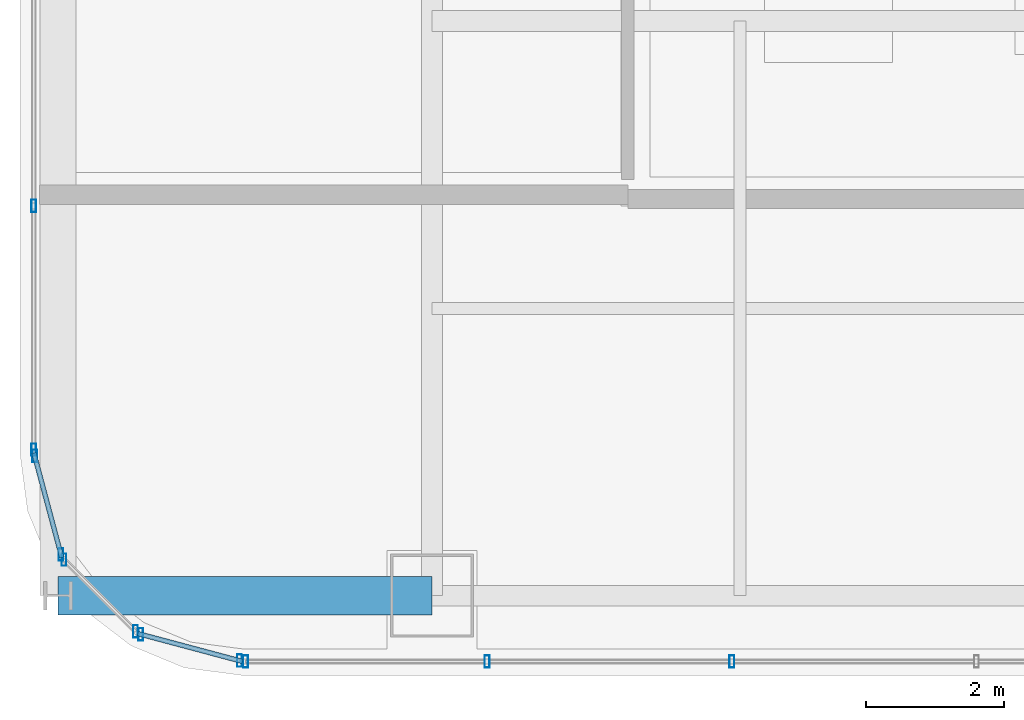
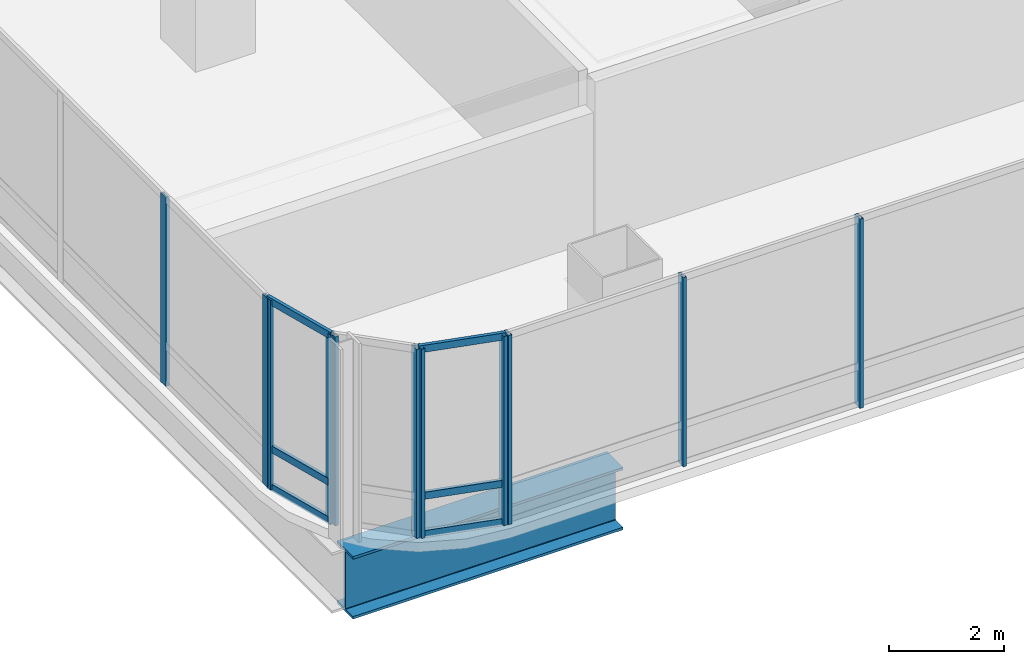
# One storey, part 2 of 42: 17 members, 1 beam, 5 elements without a shape of their own.
"""IFC4 building model written with IfcOpenShell, lengths in metres."""

import ifcopenshell
import ifcopenshell.guid

model = None  # the IFC model being written
_history = None  # IfcOwnerHistory: only IFC2X3 demands one
_inside = {}  # id of a spatial element -> (the spatial element, [elements in it])
_under = {}  # id of a project, library or spatial element -> (it, [spatial elements below it])
_declared = {}  # id of a project -> (the project, [libraries it declares])
_typed = {}  # id of a type object -> (the type object, [elements of that type])
_made_of = {}  # id of a material, layer set ... -> (it, [elements and type objects made of it])


def new_model(schema):
    """Start an empty IFC model of exactly this schema.

    Asked for "IFC4X3", IfcOpenShell would pick the latest addendum, in which some entities
    have other attributes; the version numbers below select the first issue.
    IFC2X3 requires an IfcOwnerHistory on every rooted entity: one is made here for all.
    """
    global model, _history
    if schema == "IFC4X3":
        model = ifcopenshell.file(schema_version=(4, 3, 0, 0))
    else:
        model = ifcopenshell.file(schema=schema)
    _inside.clear()
    _under.clear()
    _declared.clear()
    _typed.clear()
    _made_of.clear()
    _history = None
    if model.schema == "IFC2X3":
        org = make("IfcOrganization", Name="unknown")
        user = make(
            "IfcPersonAndOrganization",
            ThePerson=make("IfcPerson", FamilyName="unknown"),
            TheOrganization=org,
        )
        app = make(
            "IfcApplication",
            ApplicationDeveloper=org,
            Version="unknown",
            ApplicationFullName="unknown",
            ApplicationIdentifier="unknown",
        )
        _history = make(
            "IfcOwnerHistory",
            OwningUser=user,
            OwningApplication=app,
            ChangeAction="ADDED",
            CreationDate=0,
        )
    return model


def make(cls, **values):
    """One entity of the class cls with the attributes given. An attribute that is None is left unset."""
    return model.create_entity(
        cls, **{name: value for name, value in values.items() if value is not None}
    )


def rooted(cls, **values):
    """An entity with a GlobalId (a new one), such as an element, a storey or a relation."""
    return make(cls, GlobalId=ifcopenshell.guid.new(), OwnerHistory=_history, **values)


def si_unit(unit_type, name, prefix=None):
    """IfcSIUnit, for example si_unit("LENGTHUNIT", "METRE", prefix="MILLI")."""
    return make("IfcSIUnit", UnitType=unit_type, Prefix=prefix, Name=name)


def assignment(units):
    """IfcUnitAssignment: the units of a project."""
    return None if units is None else make("IfcUnitAssignment", Units=units)


def point(xyz):
    """IfcCartesianPoint."""
    return None if xyz is None else make("IfcCartesianPoint", Coordinates=xyz)


def direction(xyz):
    """IfcDirection."""
    return None if xyz is None else make("IfcDirection", DirectionRatios=xyz)


def frame(location, z_axis=None, x_axis=None):
    """IfcAxis2Placement3D, a coordinate frame: its origin and axes. An axis left out is left unset."""
    return make(
        "IfcAxis2Placement3D",
        Location=point(location),
        Axis=direction(z_axis),
        RefDirection=direction(x_axis),
    )


def frame_2d(location, x_axis=None):
    """IfcAxis2Placement2D, a coordinate frame in the plane: its origin and x axis."""
    return make(
        "IfcAxis2Placement2D", Location=point(location), RefDirection=direction(x_axis)
    )


def origin():
    """The frame at (0, 0, 0) with its axes left unset."""
    return frame((0.0, 0.0, 0.0))


def origin_2d():
    """The frame at (0, 0) in the plane with its x axis left unset."""
    return frame_2d((0.0, 0.0))


def place(relative_to, where):
    """IfcLocalPlacement: puts the frame where relative to a parent placement (None: the world)."""
    return make(
        "IfcLocalPlacement", PlacementRelTo=relative_to, RelativePlacement=where
    )


def context(
    kind, dimensions, precision=None, world=None, true_north=None, identifier=None
):
    """IfcGeometricRepresentationContext, for example the 3D "Model" context."""
    return make(
        "IfcGeometricRepresentationContext",
        ContextIdentifier=identifier,
        ContextType=kind,
        CoordinateSpaceDimension=dimensions,
        Precision=precision,
        WorldCoordinateSystem=world,
        TrueNorth=true_north,
    )


def subcontext(parent, identifier, kind, view, scale=None):
    """IfcGeometricRepresentationSubContext, for example "Body" below "Model"."""
    return make(
        "IfcGeometricRepresentationSubContext",
        ContextIdentifier=identifier,
        ContextType=kind,
        ParentContext=parent,
        TargetScale=scale,
        TargetView=view,
    )


def project(units=None, contexts=None):
    """IfcProject with its units and contexts."""
    return rooted(
        "IfcProject",
        Name="project",
        RepresentationContexts=contexts,
        UnitsInContext=assignment(units),
    )


def spatial(cls, under=None, at=None, **own):
    """A site, building, storey or space (cls), placed at a placement, below another one or the project."""
    s = rooted(cls, ObjectPlacement=at, **own)
    if under is not None:
        _under.setdefault(under.id(), (under, []))[1].append(s)
    return s


def profile(cls, at=None, kind="AREA", **sizes):
    """A parametric profile (cls). Its sizes go by their IFC names, for example OverallWidth=200.0."""
    return make(cls, ProfileType=kind, Position=at, **sizes)


def hollow_rectangle(**sizes):
    """IfcRectangleHollowProfileDef."""
    return profile("IfcRectangleHollowProfileDef", **sizes)


def i_section(**sizes):
    """IfcIShapeProfileDef."""
    return profile("IfcIShapeProfileDef", **sizes)


def extrude(swept, where, along, depth):
    """IfcExtrudedAreaSolid: the profile swept, set in the frame where, extruded along a direction by depth."""
    return make(
        "IfcExtrudedAreaSolid",
        SweptArea=swept,
        Position=where,
        ExtrudedDirection=direction(along),
        Depth=depth,
    )


def shape(context_of_items, identifier, shape_type, items):
    """IfcShapeRepresentation: the items that make up one representation, for example the "Body"."""
    return make(
        "IfcShapeRepresentation",
        ContextOfItems=context_of_items,
        RepresentationIdentifier=identifier,
        RepresentationType=shape_type,
        Items=items,
    )


def material(Name=None, Category=None):
    """IfcMaterial."""
    return make("IfcMaterial", Name=Name, Category=Category)


def material_profile(
    of_material, cross_section, Name=None, Category=None, Priority=None
):
    """IfcMaterialProfile: a cross section and its material."""
    return make(
        "IfcMaterialProfile",
        Name=Name,
        Material=of_material,
        Profile=cross_section,
        Priority=Priority,
        Category=Category,
    )


def profile_set(profiles, Name=None, composite=None):
    """IfcMaterialProfileSet."""
    return make(
        "IfcMaterialProfileSet",
        Name=Name,
        MaterialProfiles=profiles,
        CompositeProfile=composite,
    )


def made_of(thing, what):
    """Note that an element or type object is made of a material, layer set ...; save() writes the relation."""
    if what is not None:
        _made_of.setdefault(what.id(), (what, []))[1].append(thing)
    return thing


def type_object(cls, material=None, **own):
    """A type object (cls), such as IfcWallType, which elements share."""
    return made_of(rooted(cls, **own), material)


def element(
    cls,
    number,
    at=None,
    inside=None,
    cuts=None,
    type_object=None,
    material=None,
    context=None,
    identifier="Body",
    shape_type=None,
    held_by="IfcProductDefinitionShape",
    body=None,
    shapes=None,
    **own,
):
    """One element of the class cls, such as IfcWall. Its Tag is "e" and its number.

    at: its placement. inside: the storey or other place that contains it. cuts: it is an
    opening in that element (IfcRelVoidsElement). A single representation is given by context,
    identifier, shape_type and body (its items); several are given by shapes. held_by: the class
    of the entity that holds the representations. save() writes the other relations.
    """
    e = rooted(cls, Tag="e%d" % number, ObjectPlacement=at, **own)
    if body is not None:
        shapes = [shape(context, identifier, shape_type, body)]
    if shapes is not None:
        e.Representation = make(held_by, Representations=shapes)
    if inside is not None:
        _inside.setdefault(inside.id(), (inside, []))[1].append(e)
    if cuts is not None:
        rooted(
            "IfcRelVoidsElement", RelatingBuildingElement=cuts, RelatedOpeningElement=e
        )
    if type_object is not None:
        _typed.setdefault(type_object.id(), (type_object, []))[1].append(e)
    return made_of(e, material)


def aggregate(whole, parts):
    """IfcRelAggregates: a whole, such as a stair, and the parts it consists of."""
    return rooted("IfcRelAggregates", RelatingObject=whole, RelatedObjects=parts)


def save(model, path):
    """Write the relations noted so far, then the file.

    IfcRelAggregates (storeys below a building ...), IfcRelContainedInSpatialStructure (elements
    in a storey), IfcRelDefinesByType, IfcRelAssociatesMaterial and IfcRelDeclares: one each for
    every whole, place, type object, material and project.
    """
    for whole, parts in _under.values():
        aggregate(whole, parts)
    for where, things in _inside.values():
        rooted(
            "IfcRelContainedInSpatialStructure",
            RelatedElements=things,
            RelatingStructure=where,
        )
    for kind, things in _typed.values():
        rooted("IfcRelDefinesByType", RelatedObjects=things, RelatingType=kind)
    for what, things in _made_of.values():
        rooted("IfcRelAssociatesMaterial", RelatedObjects=things, RelatingMaterial=what)
    for by, libraries in _declared.values():
        rooted("IfcRelDeclares", RelatingContext=by, RelatedDefinitions=libraries)
    model.write(path)


model = new_model("IFC4")

# Units and contexts
model_context = context("Model", 3, precision=1e-05, world=origin(), true_north=direction((0.0, 1.0)))
body_context = subcontext(model_context, "Body", "Model", "MODEL_VIEW")
ifc_project = project(units=[si_unit("LENGTHUNIT", "METRE"), si_unit("AREAUNIT", "SQUARE_METRE"), si_unit("VOLUMEUNIT", "CUBIC_METRE"), si_unit("PLANEANGLEUNIT", "RADIAN"), si_unit("MASSUNIT", "GRAM", prefix="KILO")], contexts=[model_context])

# Site, building, storey
site_placement = place(None, origin())
site = spatial("IfcSite", under=ifc_project, at=site_placement, CompositionType="ELEMENT")
building_placement = place(site_placement, origin())
building = spatial("IfcBuilding", under=site, at=building_placement, Name="Punatoya Terracotta Tower", CompositionType="ELEMENT")
storey_placement = place(building_placement, frame((0.0, 0.0, 304.800048828125)))
storey = spatial("IfcBuildingStorey", under=building, at=storey_placement, Name="L72", CompositionType="ELEMENT", Elevation=304.800048828125)

# Beam
ifc_material_1 = material(Name="Steel S460", Category="steel")
ifc_material_profile_1 = material_profile(ifc_material_1, i_section(OverallWidth=0.56005859375, OverallDepth=1.320068359375, WebThickness=0.035888671875, FlangeThickness=0.054931640625, FilletRadius=0.01806640625, at=origin_2d()))
ifc_profile_set_1 = profile_set([ifc_material_profile_1], Name="Steel S460")
beam_type = type_object("IfcBeamType", Name="BM-TG-BLK", PredefinedType="BEAM", material=ifc_profile_set_1)
beam_placement = place(storey_placement, frame((-24.5, -17.5, -0.860107421875), z_axis=(1.0, 0.0, 0.0), x_axis=(0.0, 1.0, 0.0)))
element("IfcBeam", 1, at=beam_placement, inside=storey, type_object=beam_type, Name="BM-L72-CANT-W1", PredefinedType="BEAM", context=body_context, shape_type="SweptSolid", body=[
    extrude(i_section(OverallWidth=0.56005859375, OverallDepth=1.320068359375, WebThickness=0.035888671875, FlangeThickness=0.054931640625, FilletRadius=0.01806640625, at=origin_2d()), origin(), (0.0, 0.0, 1.0), 5.39990234375),
])

# Curtain wall, members
ifc_material_2 = material(Name="Aluminium 6063-T6 + Double Low-E Glass", Category="aluminium")
curtain_wall_type = type_object("IfcCurtainWallType", Name="CW-M3", PredefinedType="NOTDEFINED", material=ifc_material_2)
curtain_wall_1_placement = place(storey_placement, origin())
curtain_wall_1 = element("IfcCurtainWall", 2, at=curtain_wall_1_placement, inside=storey, type_object=curtain_wall_type, Name="L72 Curtain Wall CW-L72-S01-1", PredefinedType="NOTDEFINED")
ifc_material_3 = material(Name="Aluminium 6063-T6", Category="aluminium")
ifc_material_profile_2 = material_profile(ifc_material_3, hollow_rectangle(XDim=0.070068359375, YDim=0.179931640625, WallThickness=0.00390625, at=origin_2d()))
ifc_profile_set_2 = profile_set([ifc_material_profile_2], Name="Aluminium 6063-T6")
member_type_1 = type_object("IfcMemberType", Name="CW-MUL-M3", PredefinedType="MULLION", material=ifc_profile_set_2)
member_1_placement = place(storey_placement, frame((-21.7919921875, -18.449951171875, 0.0), z_axis=(0.0, 0.0, 1.0), x_axis=(1.0, 0.0, 0.0)))
member_1 = element("IfcMember", 3, at=member_1_placement, type_object=member_type_1, Name="CW-L72-S01-1 Mullion 00", PredefinedType="MULLION", context=body_context, shape_type="SweptSolid", body=[
    extrude(hollow_rectangle(XDim=0.070068359375, YDim=0.179931640625, WallThickness=0.00390625, at=origin_2d()), origin(), (0.0, 0.0, 1.0), 4.0),
])
member_2_placement = place(storey_placement, frame((-18.302978515625, -18.449951171875, 0.0), z_axis=(0.0, 0.0, 1.0), x_axis=(1.0, 0.0, 0.0)))
member_2 = element("IfcMember", 4, at=member_2_placement, type_object=member_type_1, Name="CW-L72-S01-1 Mullion 01", PredefinedType="MULLION", context=body_context, shape_type="SweptSolid", body=[
    extrude(hollow_rectangle(XDim=0.070068359375, YDim=0.179931640625, WallThickness=0.00390625, at=origin_2d()), origin(), (0.0, 0.0, 1.0), 4.0),
])
member_3_placement = place(storey_placement, frame((-14.768798828125, -18.449951171875, 0.0), z_axis=(0.0, 0.0, 1.0), x_axis=(1.0, 0.0, 0.0)))
member_3 = element("IfcMember", 5, at=member_3_placement, type_object=member_type_1, Name="CW-L72-S01-1 Mullion 02", PredefinedType="MULLION", context=body_context, shape_type="SweptSolid", body=[
    extrude(hollow_rectangle(XDim=0.070068359375, YDim=0.179931640625, WallThickness=0.00390625, at=origin_2d()), origin(), (0.0, 0.0, 1.0), 4.0),
])
aggregate(curtain_wall_1, [member_1, member_2, member_3])

curtain_wall_2_placement = place(storey_placement, origin())
curtain_wall_2 = element("IfcCurtainWall", 6, at=curtain_wall_2_placement, inside=storey, type_object=curtain_wall_type, Name="L72 Curtain Wall CW-L72-W13-1", PredefinedType="NOTDEFINED")
member_4_placement = place(storey_placement, frame((-24.85009765625, -11.869384765625, 0.0), z_axis=(0.0, 0.0, 1.0), x_axis=(1.0, 0.0, 0.0)))
member_4 = element("IfcMember", 7, at=member_4_placement, type_object=member_type_1, Name="CW-L72-W13-1 Mullion 09", PredefinedType="MULLION", context=body_context, shape_type="SweptSolid", body=[
    extrude(hollow_rectangle(XDim=0.070068359375, YDim=0.179931640625, WallThickness=0.00390625, at=origin_2d()), origin(), (0.0, 0.0, 1.0), 4.0),
])
member_5_placement = place(storey_placement, frame((-24.85009765625, -15.391845703125, 0.0), z_axis=(0.0, 0.0, 1.0), x_axis=(1.0, 0.0, 0.0)))
member_5 = element("IfcMember", 8, at=member_5_placement, type_object=member_type_1, Name="CW-L72-W13-1 Mullion 10", PredefinedType="MULLION", context=body_context, shape_type="SweptSolid", body=[
    extrude(hollow_rectangle(XDim=0.070068359375, YDim=0.179931640625, WallThickness=0.00390625, at=origin_2d()), origin(), (0.0, 0.0, 1.0), 4.0),
])
aggregate(curtain_wall_2, [member_4, member_5])

curtain_wall_3_placement = place(storey_placement, origin())
curtain_wall_3 = element("IfcCurtainWall", 9, at=curtain_wall_3_placement, inside=storey, type_object=curtain_wall_type, Name="L72 Curtain Wall CW-L72-CRN14", PredefinedType="NOTDEFINED")
member_6_placement = place(storey_placement, frame((-24.83837890625, -15.48046875, 0.0), z_axis=(0.0, 0.0, 1.0), x_axis=(1.0, 0.0, 0.0)))
member_6 = element("IfcMember", 10, at=member_6_placement, type_object=member_type_1, Name="CW-L72-CRN14 Mullion 00", PredefinedType="MULLION", context=body_context, shape_type="SweptSolid", body=[
    extrude(hollow_rectangle(XDim=0.070068359375, YDim=0.179931640625, WallThickness=0.00390625, at=origin_2d()), origin(), (0.0, 0.0, 1.0), 4.0),
])
member_7_placement = place(storey_placement, frame((-24.458251953125, -16.905517578125, 0.0), z_axis=(0.0, 0.0, 1.0), x_axis=(1.0, 0.0, 0.0)))
member_7 = element("IfcMember", 11, at=member_7_placement, type_object=member_type_1, Name="CW-L72-CRN14 Mullion 01", PredefinedType="MULLION", context=body_context, shape_type="SweptSolid", body=[
    extrude(hollow_rectangle(XDim=0.070068359375, YDim=0.179931640625, WallThickness=0.00390625, at=origin_2d()), origin(), (0.0, 0.0, 1.0), 4.0),
])

curtain_wall_4_placement = place(storey_placement, origin())
curtain_wall_4 = element("IfcCurtainWall", 12, at=curtain_wall_4_placement, inside=storey, type_object=curtain_wall_type, Name="L72 Curtain Wall CW-L72-CRN15", PredefinedType="NOTDEFINED")
member_8_placement = place(storey_placement, frame((-24.414794921875, -16.98095703125, 0.0), z_axis=(0.0, 0.0, 1.0), x_axis=(1.0, 0.0, 0.0)))
member_8 = element("IfcMember", 13, at=member_8_placement, type_object=member_type_1, Name="CW-L72-CRN15 Mullion 00", PredefinedType="MULLION", context=body_context, shape_type="SweptSolid", body=[
    extrude(hollow_rectangle(XDim=0.070068359375, YDim=0.179931640625, WallThickness=0.00390625, at=origin_2d()), origin(), (0.0, 0.0, 1.0), 4.0),
])
member_9_placement = place(storey_placement, frame((-23.380859375, -18.014892578125, 0.0), z_axis=(0.0, 0.0, 1.0), x_axis=(1.0, 0.0, 0.0)))
member_9 = element("IfcMember", 14, at=member_9_placement, type_object=member_type_1, Name="CW-L72-CRN15 Mullion 01", PredefinedType="MULLION", context=body_context, shape_type="SweptSolid", body=[
    extrude(hollow_rectangle(XDim=0.070068359375, YDim=0.179931640625, WallThickness=0.00390625, at=origin_2d()), origin(), (0.0, 0.0, 1.0), 4.0),
])
aggregate(curtain_wall_4, [member_8, member_9])

curtain_wall_5_placement = place(storey_placement, origin())
curtain_wall_5 = element("IfcCurtainWall", 15, at=curtain_wall_5_placement, inside=storey, type_object=curtain_wall_type, Name="L72 Curtain Wall CW-L72-CRN16", PredefinedType="NOTDEFINED")
member_10_placement = place(storey_placement, frame((-23.3056640625, -18.05810546875, 0.0), z_axis=(0.0, 0.0, 1.0), x_axis=(1.0, 0.0, 0.0)))
member_10 = element("IfcMember", 16, at=member_10_placement, type_object=member_type_1, Name="CW-L72-CRN16 Mullion 00", PredefinedType="MULLION", context=body_context, shape_type="SweptSolid", body=[
    extrude(hollow_rectangle(XDim=0.070068359375, YDim=0.179931640625, WallThickness=0.00390625, at=origin_2d()), origin(), (0.0, 0.0, 1.0), 4.0),
])
member_11_placement = place(storey_placement, frame((-21.88037109375, -18.4384765625, 0.0), z_axis=(0.0, 0.0, 1.0), x_axis=(1.0, 0.0, 0.0)))
member_11 = element("IfcMember", 17, at=member_11_placement, type_object=member_type_1, Name="CW-L72-CRN16 Mullion 01", PredefinedType="MULLION", context=body_context, shape_type="SweptSolid", body=[
    extrude(hollow_rectangle(XDim=0.070068359375, YDim=0.179931640625, WallThickness=0.00390625, at=origin_2d()), origin(), (0.0, 0.0, 1.0), 4.0),
])

# Member
ifc_material_profile_3 = material_profile(ifc_material_3, hollow_rectangle(XDim=0.068115234375, YDim=0.14990234375, WallThickness=0.00390625, at=origin_2d()))
ifc_profile_set_3 = profile_set([ifc_material_profile_3], Name="Aluminium 6063-T6")
member_type_2 = type_object("IfcMemberType", Name="CW-TRN-TYP", PredefinedType="USERDEFINED", material=ifc_profile_set_3)
member_12_placement = place(storey_placement, frame((-24.85009765625, -15.43701171875, 0.0400390625), z_axis=(0.257847112249, -0.966185730957, 0.0), x_axis=(0.966185730957, 0.257847112249, 0.0)))
member_12 = element("IfcMember", 18, at=member_12_placement, type_object=member_type_2, Name="CW-L72-CRN14 Transom 1", ObjectType="TRANSOM", PredefinedType="USERDEFINED", context=body_context, shape_type="SweptSolid", body=[
    extrude(hollow_rectangle(XDim=0.068115234375, YDim=0.14990234375, WallThickness=0.00390625, at=origin_2d()), origin(), (0.0, 0.0, 1.0), 1.565185546875),
])

member_13_placement = place(storey_placement, frame((-24.85009765625, -15.43701171875, 0.849853515625), z_axis=(0.257847112249, -0.966185730957, 0.0), x_axis=(0.966185730957, 0.257847112249, 0.0)))
member_13 = element("IfcMember", 19, at=member_13_placement, type_object=member_type_2, Name="CW-L72-CRN14 Transom 2", ObjectType="TRANSOM", PredefinedType="USERDEFINED", context=body_context, shape_type="SweptSolid", body=[
    extrude(hollow_rectangle(XDim=0.068115234375, YDim=0.14990234375, WallThickness=0.00390625, at=origin_2d()), origin(), (0.0, 0.0, 1.0), 1.565185546875),
])

member_14_placement = place(storey_placement, frame((-24.85009765625, -15.43701171875, 3.9599609375), z_axis=(0.257847112249, -0.966185730957, 0.0), x_axis=(0.966185730957, 0.257847112249, 0.0)))
member_14 = element("IfcMember", 20, at=member_14_placement, type_object=member_type_2, Name="CW-L72-CRN14 Transom 3", ObjectType="TRANSOM", PredefinedType="USERDEFINED", context=body_context, shape_type="SweptSolid", body=[
    extrude(hollow_rectangle(XDim=0.068115234375, YDim=0.14990234375, WallThickness=0.00390625, at=origin_2d()), origin(), (0.0, 0.0, 1.0), 1.565185546875),
])

aggregate(curtain_wall_3, [member_6, member_7, member_12, member_13, member_14])

member_15_placement = place(storey_placement, frame((-23.34912109375, -18.046630859375, 0.0400390625), z_axis=(0.966224582397, -0.257701486942, 0.0), x_axis=(0.257701486942, 0.966224582397, 0.0)))
member_15 = element("IfcMember", 21, at=member_15_placement, type_object=member_type_2, Name="CW-L72-CRN16 Transom 1", ObjectType="TRANSOM", PredefinedType="USERDEFINED", context=body_context, shape_type="SweptSolid", body=[
    extrude(hollow_rectangle(XDim=0.068115234375, YDim=0.14990234375, WallThickness=0.00390625, at=origin_2d()), origin(), (0.0, 0.0, 1.0), 1.565185546875),
])

member_16_placement = place(storey_placement, frame((-23.34912109375, -18.046630859375, 0.849853515625), z_axis=(0.966224582397, -0.257701486942, 0.0), x_axis=(0.257701486942, 0.966224582397, 0.0)))
member_16 = element("IfcMember", 22, at=member_16_placement, type_object=member_type_2, Name="CW-L72-CRN16 Transom 2", ObjectType="TRANSOM", PredefinedType="USERDEFINED", context=body_context, shape_type="SweptSolid", body=[
    extrude(hollow_rectangle(XDim=0.068115234375, YDim=0.14990234375, WallThickness=0.00390625, at=origin_2d()), origin(), (0.0, 0.0, 1.0), 1.565185546875),
])

member_17_placement = place(storey_placement, frame((-23.34912109375, -18.046630859375, 3.9599609375), z_axis=(0.966224582397, -0.257701486942, 0.0), x_axis=(0.257701486942, 0.966224582397, 0.0)))
member_17 = element("IfcMember", 23, at=member_17_placement, type_object=member_type_2, Name="CW-L72-CRN16 Transom 3", ObjectType="TRANSOM", PredefinedType="USERDEFINED", context=body_context, shape_type="SweptSolid", body=[
    extrude(hollow_rectangle(XDim=0.068115234375, YDim=0.14990234375, WallThickness=0.00390625, at=origin_2d()), origin(), (0.0, 0.0, 1.0), 1.565185546875),
])

aggregate(curtain_wall_5, [member_10, member_11, member_15, member_16, member_17])

save(model, "model.ifc")
